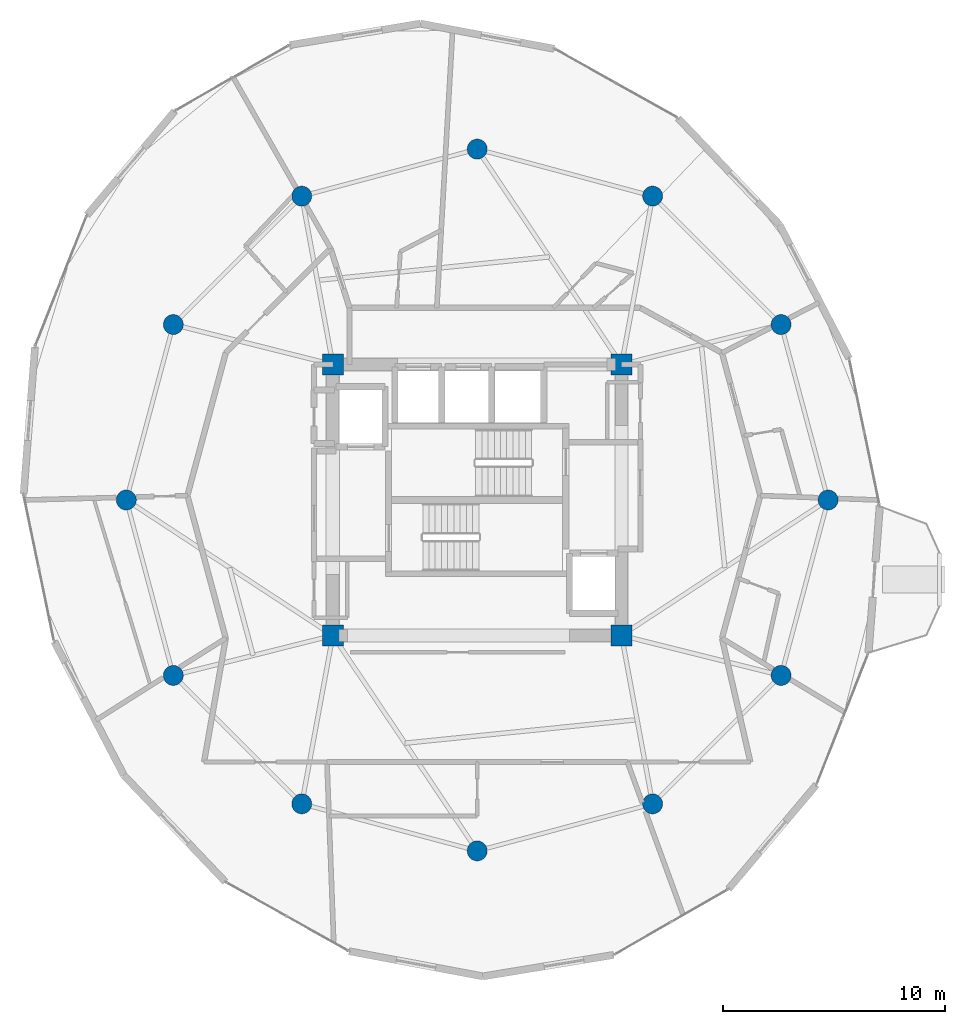
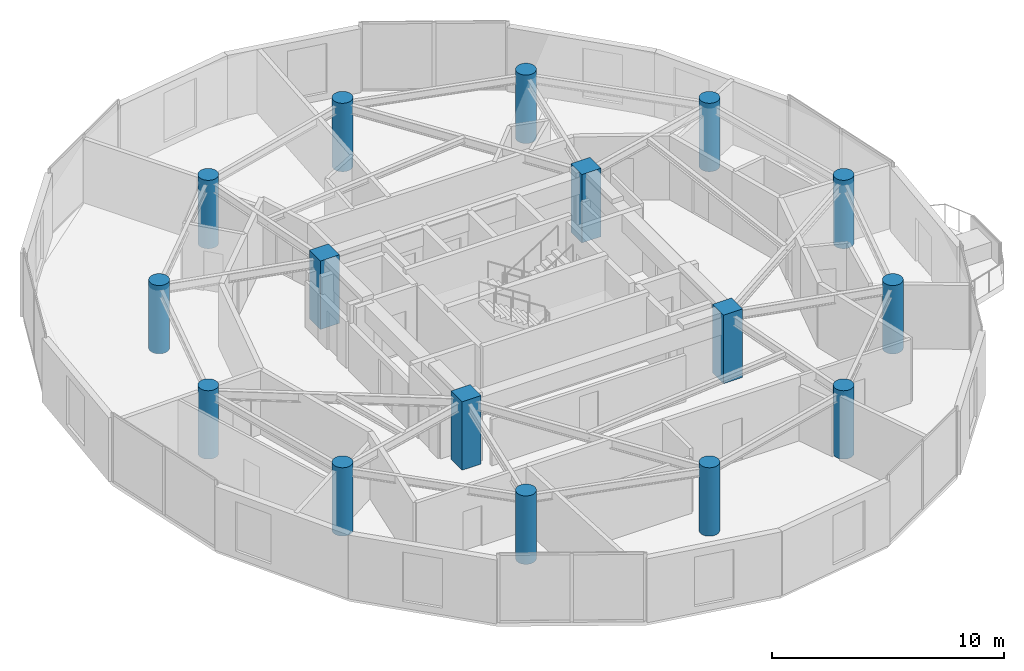
# One storey, part 1 of 21: 16 columns.
"""IFC4 building model written with IfcOpenShell, lengths in metres."""

from ifc_helpers import new_model, si_unit, direction, frame, origin, origin_2d, place, context, subcontext, project, spatial, rectangle, circle, extrude, material, material_profile, profile_set, type_object, element, save


model = new_model("IFC4")

# Units and contexts
model_context = context("Model", 3, precision=1e-05, world=origin(), true_north=direction((0.0, 1.0)))
body_context = subcontext(model_context, "Body", "Model", "MODEL_VIEW")
ifc_project = project(units=[si_unit("LENGTHUNIT", "METRE"), si_unit("AREAUNIT", "SQUARE_METRE"), si_unit("VOLUMEUNIT", "CUBIC_METRE"), si_unit("PLANEANGLEUNIT", "RADIAN"), si_unit("MASSUNIT", "GRAM", prefix="KILO")], contexts=[model_context])

# Site, building, storey
site_placement = place(None, origin())
site = spatial("IfcSite", under=ifc_project, at=site_placement, CompositionType="ELEMENT")
building_placement = place(site_placement, origin())
building = spatial("IfcBuilding", under=site, at=building_placement, Name="Solvirekh Grand Hotel", CompositionType="ELEMENT")
storey_placement = place(building_placement, frame((0.0, 0.0, 220.0)))
storey = spatial("IfcBuildingStorey", under=building, at=storey_placement, Name="L57", CompositionType="ELEMENT", Elevation=220.0)

# Columns
ifc_material = material(Name="Concrete C50/60", Category="concrete")
ifc_material_profile_1 = material_profile(ifc_material, rectangle(XDim=0.949951171875, YDim=0.949951171875, at=origin_2d()), Name="RC 950X950")
ifc_profile_set_1 = profile_set([ifc_material_profile_1], Name="Concrete C50/60")
column_type_1 = type_object("IfcColumnType", Name="Col_Core_950", PredefinedType="COLUMN", material=ifc_profile_set_1)
for number, where, z_axis, x_axis, name in (
    (1, (-6.5, -6.10009765625, 0.0), (0.0, 0.0, 1.0), (1.0, 0.0, 0.0), "L57 core corner column CC1"),
    (2, (6.5, -6.10009765625, 0.0), (0.0, 0.0, 1.0), (1.0, 0.0, 0.0), "L57 core corner column CC2"),
    (3, (6.5, 6.10009765625, 0.0), (0.0, 0.0, 1.0), (1.0, 0.0, 0.0), "L57 core corner column CC3"),
    (4, (-6.5, 6.10009765625, 0.0), (0.0, 0.0, 1.0), (1.0, 0.0, 0.0), "L57 core corner column CC4"),
):
    element("IfcColumn", number, at=place(storey_placement, frame(where, z_axis=z_axis, x_axis=x_axis)), inside=storey, type_object=column_type_1, Name=name, PredefinedType="COLUMN", context=body_context, shape_type="SweptSolid", body=[
        extrude(rectangle(XDim=0.949951171875, YDim=0.949951171875, at=origin_2d()), origin(), (0.0, 0.0, 1.0), 3.60009765625),
    ])
ifc_material_profile_2 = material_profile(ifc_material, circle(Radius=0.449951171875, at=origin_2d()), Name="RC CIRC D900")
ifc_profile_set_2 = profile_set([ifc_material_profile_2], Name="Concrete C50/60")
column_type_2 = type_object("IfcColumnType", Name="Col_Z3_D900", PredefinedType="COLUMN", material=ifc_profile_set_2)
for number, where, z_axis, x_axis, name in (
    (5, (15.800048828125, 0.0, 0.0), (0.0, 0.0, 1.0), (1.0, 0.0, 0.0), "L57 perimeter column P01"),
    (6, (13.68310546875, 7.89990234375, 0.0), (0.0, 0.0, 1.0), (1.0, 0.0, 0.0), "L57 perimeter column P02"),
    (7, (7.89990234375, 13.68310546875, 0.0), (0.0, 0.0, 1.0), (1.0, 0.0, 0.0), "L57 perimeter column P03"),
    (8, (0.0, 15.800048828125, 0.0), (0.0, 0.0, 1.0), (1.0, 0.0, 0.0), "L57 perimeter column P04"),
    (9, (-7.89990234375, 13.68310546875, 0.0), (0.0, 0.0, 1.0), (1.0, 0.0, 0.0), "L57 perimeter column P05"),
    (10, (-13.68310546875, 7.89990234375, 0.0), (0.0, 0.0, 1.0), (1.0, 0.0, 0.0), "L57 perimeter column P06"),
    (11, (-15.800048828125, 0.0, 0.0), (0.0, 0.0, 1.0), (1.0, 0.0, 0.0), "L57 perimeter column P07"),
    (12, (-13.68310546875, -7.89990234375, 0.0), (0.0, 0.0, 1.0), (1.0, 0.0, 0.0), "L57 perimeter column P08"),
    (13, (-7.89990234375, -13.68310546875, 0.0), (0.0, 0.0, 1.0), (1.0, 0.0, 0.0), "L57 perimeter column P09"),
    (14, (0.0, -15.800048828125, 0.0), (0.0, 0.0, 1.0), (1.0, 0.0, 0.0), "L57 perimeter column P10"),
    (15, (7.89990234375, -13.68310546875, 0.0), (0.0, 0.0, 1.0), (1.0, 0.0, 0.0), "L57 perimeter column P11"),
    (16, (13.68310546875, -7.89990234375, 0.0), (0.0, 0.0, 1.0), (1.0, 0.0, 0.0), "L57 perimeter column P12"),
):
    element("IfcColumn", number, at=place(storey_placement, frame(where, z_axis=z_axis, x_axis=x_axis)), inside=storey, type_object=column_type_2, Name=name, PredefinedType="COLUMN", context=body_context, shape_type="SweptSolid", body=[
        extrude(circle(Radius=0.449951171875, at=origin_2d()), origin(), (0.0, 0.0, 1.0), 3.60009765625),
    ])

save(model, "model.ifc")
